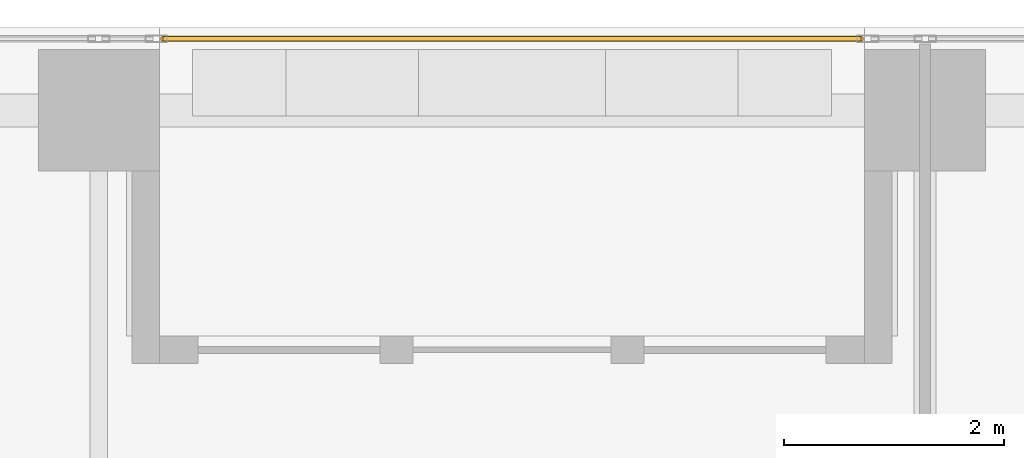
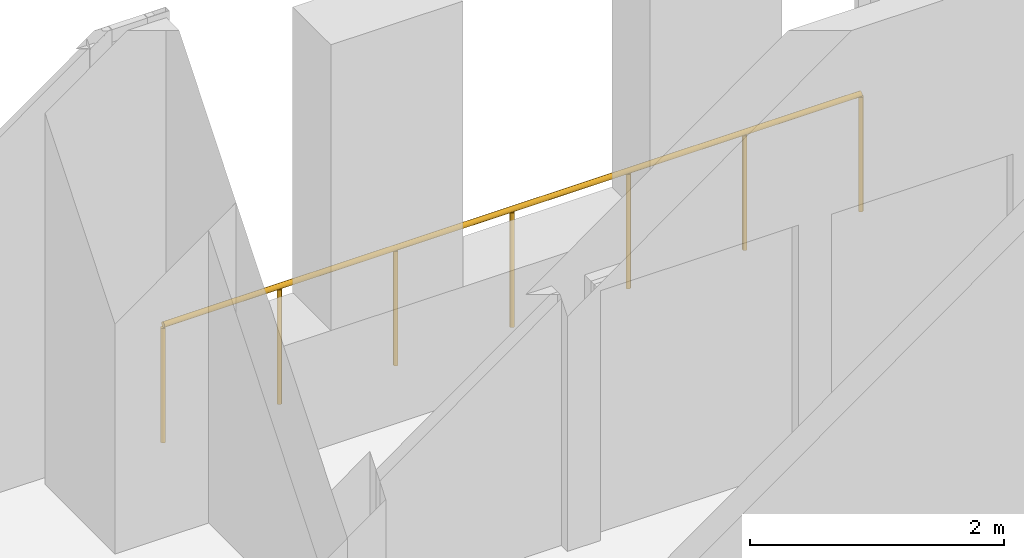
# One storey, part 33 of 34: 1 railing.
"""IFC4 building model written with IfcOpenShell, lengths in metres."""

from ifc_helpers import new_model, si_unit, direction, frame, origin, origin_2d, place, context, subcontext, project, spatial, circle, extrude, source, transform, mapped, material, type_object, element, save


model = new_model("IFC4")

# Units and contexts
model_context = context("Model", 3, precision=1e-05, world=origin(), true_north=direction((0.0, 1.0)))
body_context = subcontext(model_context, "Body", "Model", "MODEL_VIEW")
ifc_project = project(units=[si_unit("LENGTHUNIT", "METRE"), si_unit("AREAUNIT", "SQUARE_METRE"), si_unit("VOLUMEUNIT", "CUBIC_METRE"), si_unit("PLANEANGLEUNIT", "RADIAN"), si_unit("MASSUNIT", "GRAM", prefix="KILO")], contexts=[model_context])

# Site, building, storey
site_placement = place(None, origin())
site = spatial("IfcSite", under=ifc_project, at=site_placement, CompositionType="ELEMENT")
building_placement = place(site_placement, origin())
building = spatial("IfcBuilding", under=site, at=building_placement, Name="Khomas Fold Tower", CompositionType="ELEMENT")
storey_placement = place(building_placement, frame((0.0, 0.0, 123.5)))
storey = spatial("IfcBuildingStorey", under=building, at=storey_placement, Name="L26", CompositionType="ELEMENT", Elevation=123.5)

# Railing
ifc_material = material(Name="Powder-coated steel", Category="steel")
railing_type = type_object("IfcRailingType", Name="Balcony guard", PredefinedType="GUARDRAIL", material=ifc_material)
shared_shape = source(origin(), body_context, "Body", "SweptSolid", [
    extrude(circle(Radius=0.02490234375, at=origin_2d()), frame((0.0, 0.0, 1.125), z_axis=(1.0, 0.0, 0.0), x_axis=(0.0, 1.0, 0.0)), (0.0, 0.0, 1.0), 6.33984375),
    extrude(circle(Radius=0.02001953125, at=origin_2d()), origin(), (0.0, 0.0, 1.0), 1.099853515625),
    extrude(circle(Radius=0.02001953125, at=origin_2d()), frame((1.056640625, 0.0, 0.0)), (0.0, 0.0, 1.0), 1.099853515625),
    extrude(circle(Radius=0.02001953125, at=origin_2d()), frame((2.11328125, 0.0, 0.0)), (0.0, 0.0, 1.0), 1.099853515625),
    extrude(circle(Radius=0.02001953125, at=origin_2d()), frame((3.169921875, 0.0, 0.0)), (0.0, 0.0, 1.0), 1.099853515625),
    extrude(circle(Radius=0.02001953125, at=origin_2d()), frame((4.2265625, 0.0, 0.0)), (0.0, 0.0, 1.0), 1.099853515625),
    extrude(circle(Radius=0.02001953125, at=origin_2d()), frame((5.283203125, 0.0, 0.0)), (0.0, 0.0, 1.0), 1.099853515625),
    extrude(circle(Radius=0.02001953125, at=origin_2d()), frame((6.33984375, 0.0, 0.0)), (0.0, 0.0, 1.0), 1.099853515625),
])
railing_placement = place(storey_placement, frame((27.580078125, 52.39990234375, -0.044921875)))
element("IfcRailing", 1, at=railing_placement, inside=storey, type_object=railing_type, Name="Balcony guard BAL-L26-N3", PredefinedType="GUARDRAIL", context=body_context, shape_type="MappedRepresentation", body=[
    mapped(shared_shape, transform((0.0, 0.0, 0.0))),
])

save(model, "model.ifc")
